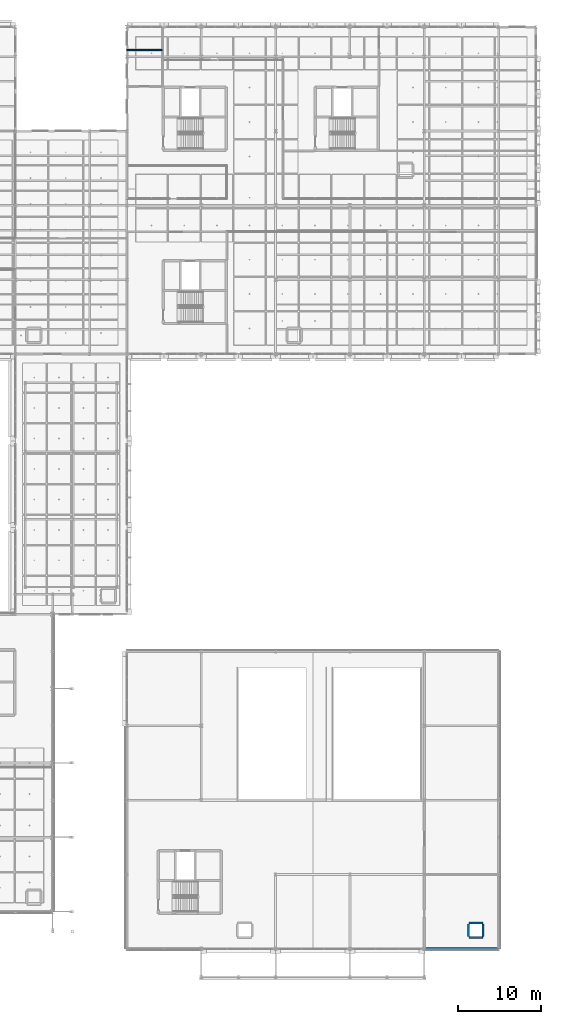
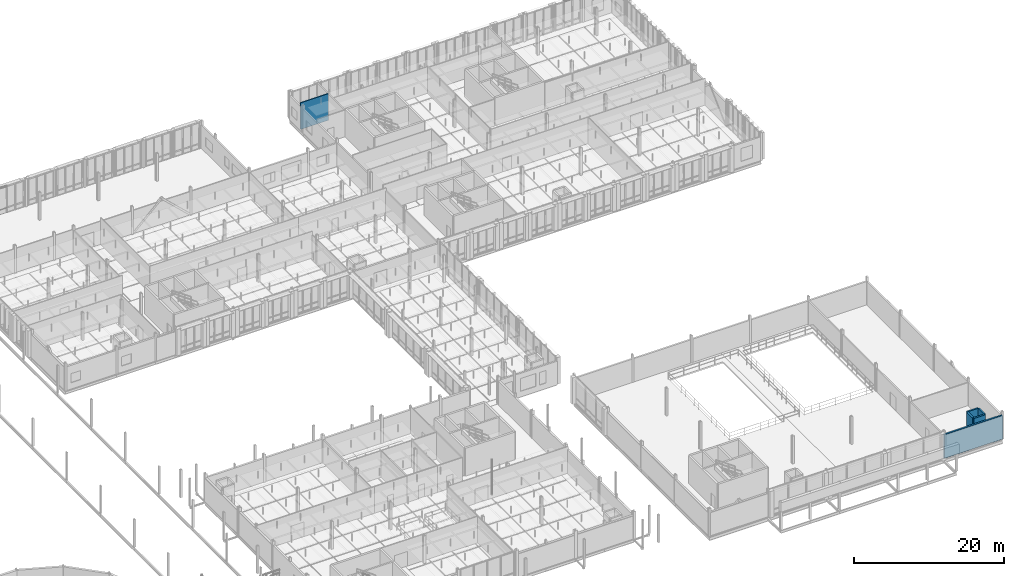
# One storey, part 73 of 130: 6 walls.
"""IFC4 building model written with IfcOpenShell, lengths in metres."""

from ifc_helpers import new_model, si_unit, direction, frame, frame_2d, origin, place, context, subcontext, project, spatial, rectangle, extrude, material, layer, layer_set, type_object, element, save


model = new_model("IFC4")

# Units and contexts
model_context = context("Model", 3, precision=1e-05, world=origin(), true_north=direction((0.0, 1.0)))
body_context = subcontext(model_context, "Body", "Model", "MODEL_VIEW")
ifc_project = project(units=[si_unit("LENGTHUNIT", "METRE"), si_unit("AREAUNIT", "SQUARE_METRE"), si_unit("VOLUMEUNIT", "CUBIC_METRE"), si_unit("PLANEANGLEUNIT", "RADIAN"), si_unit("MASSUNIT", "GRAM", prefix="KILO"), si_unit("THERMODYNAMICTEMPERATUREUNIT", "KELVIN"), si_unit("POWERUNIT", "WATT")], contexts=[model_context])

# Site, building, storey
site_placement = place(None, origin())
site = spatial("IfcSite", under=ifc_project, at=site_placement, CompositionType="ELEMENT")
building_placement = place(site_placement, origin())
building = spatial("IfcBuilding", under=site, at=building_placement, Name="Tallowbark Science Centre", CompositionType="ELEMENT")
storey_placement = place(building_placement, frame((0.0, 0.0, 5.39990234375)))
storey = spatial("IfcBuildingStorey", under=building, at=storey_placement, Name="L01", CompositionType="ELEMENT", Elevation=5.39990234375)

# Walls
ifc_material_1 = material(Name="Insulated Ribbed Precast Concrete Panel Grade N40 (40 MPa)", Category="concrete")
ifc_layer_1 = layer(ifc_material_1, 0.264892578125)
ifc_layer_set_1 = layer_set([ifc_layer_1], Name="Insulated Ribbed Precast Concrete Panel Grade N40 (40 MPa)")
wall_type_1 = type_object("IfcWallType", Name="EWL-PRC-265", PredefinedType="STANDARD", material=ifc_layer_set_1)
wall_1_placement = place(storey_placement, frame((148.5, 0.0, 0.0), z_axis=(0.0, 0.0, 1.0), x_axis=(1.0, 0.0, 0.0)))
element("IfcWall", 1, at=wall_1_placement, inside=storey, type_object=wall_type_1, Name="Exterior Wall THT-S-L01-4", PredefinedType="STANDARD", context=body_context, shape_type="SweptSolid", body=[
    extrude(rectangle(XDim=9.0, YDim=0.264892578125, at=frame_2d((4.5, 0.0))), origin(), (0.0, 0.0, 1.0), 3.84619140625),
])
ifc_material_2 = material(Name="150 mm Wet-Area Moisture-Resistant Partition")
ifc_layer_2 = layer(ifc_material_2, 0.14990234375)
ifc_layer_set_2 = layer_set([ifc_layer_2], Name="150 mm Wet-Area Moisture-Resistant Partition")
wall_type_2 = type_object("IfcWallType", Name="PTW-150", PredefinedType="PARTITIONING", material=ifc_layer_set_2)
wall_2_placement = place(storey_placement, frame((112.5, 108.800048828125, 0.0), z_axis=(0.0, 0.0, 1.0), x_axis=(1.0, 0.0, 0.0)))
element("IfcWall", 2, at=wall_2_placement, inside=storey, type_object=wall_type_2, Name="Interior Partition PTW-L01-0198", PredefinedType="PARTITIONING", context=body_context, shape_type="SweptSolid", body=[
    extrude(rectangle(XDim=4.300048828125, YDim=0.14990234375, at=frame_2d((2.14990234375, 0.0))), origin(), (0.0, 0.0, 1.0), 4.320068359375),
])
ifc_material_3 = material(Name="Concrete Grade N40 (40 MPa)", Category="concrete")
ifc_layer_3 = layer(ifc_material_3, 0.25)
ifc_layer_set_3 = layer_set([ifc_layer_3], Name="Concrete Grade N40 (40 MPa)")
wall_type_3 = type_object("IfcWallType", Name="WL-SHAFT-250", PredefinedType="SHEAR", material=ifc_layer_set_3)
for number, where, z_axis, x_axis, name in (
    (3, (153.89990234375, 1.375, 0.0), (0.0, 0.0, 1.0), (1.0, 0.0, 0.0), "Service Riser Shaft Wall RSR-THT-E L01 S"),
    (4, (153.89990234375, 3.125, 0.0), (0.0, 0.0, 1.0), (1.0, 0.0, 0.0), "Service Riser Shaft Wall RSR-THT-E L01 N"),
):
    element("IfcWall", number, at=place(storey_placement, frame(where, z_axis=z_axis, x_axis=x_axis)), inside=storey, type_object=wall_type_3, Name=name, PredefinedType="SHEAR", context=body_context, shape_type="SweptSolid", body=[
        extrude(rectangle(XDim=1.7001953125, YDim=0.25, at=frame_2d((0.85009765625, 0.0))), origin(), (0.0, 0.0, 1.0), 3.77001953125),
    ])
for number, where, z_axis, x_axis, name in (
    (5, (153.875, 1.5, 0.0), (0.0, 0.0, 1.0), (0.0, 1.0, 0.0), "Service Riser Shaft Wall RSR-THT-E L01 W"),
    (6, (155.625, 1.5, 0.0), (0.0, 0.0, 1.0), (0.0, 1.0, 0.0), "Service Riser Shaft Wall RSR-THT-E L01 E"),
):
    element("IfcWall", number, at=place(storey_placement, frame(where, z_axis=z_axis, x_axis=x_axis)), inside=storey, type_object=wall_type_3, Name=name, PredefinedType="SHEAR", context=body_context, shape_type="SweptSolid", body=[
        extrude(rectangle(XDim=1.5, YDim=0.25, at=frame_2d((0.75, 0.0))), origin(), (0.0, 0.0, 1.0), 3.77001953125),
    ])

save(model, "model.ifc")
